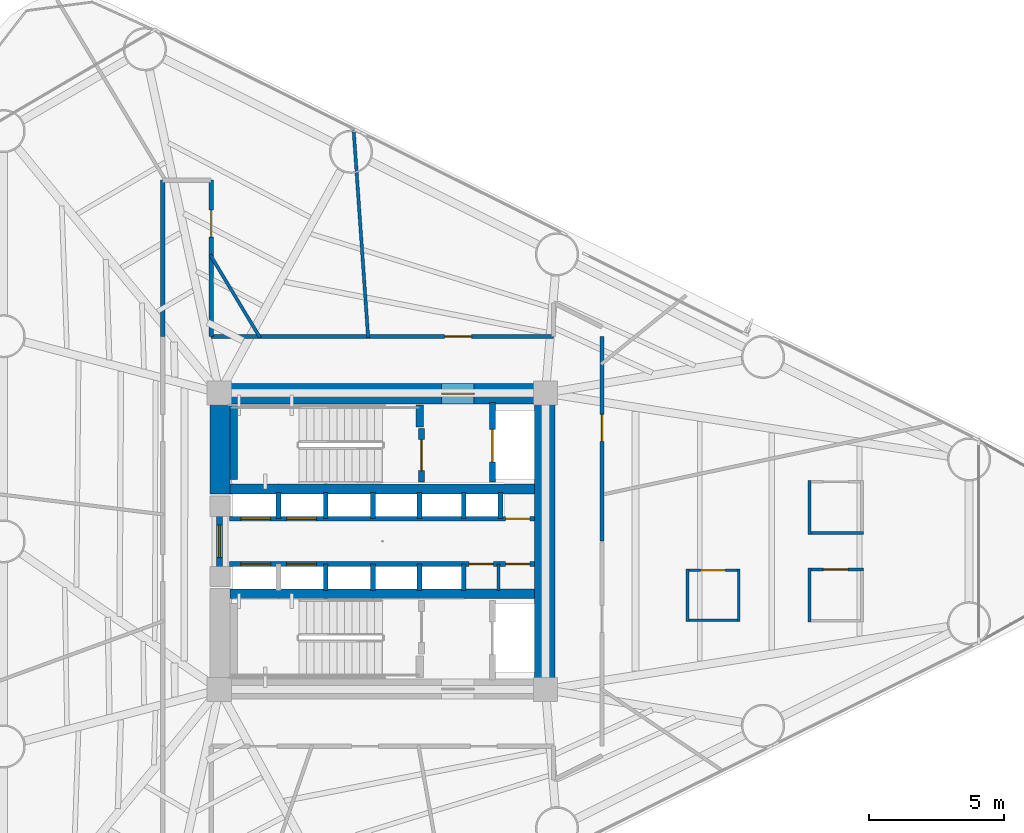
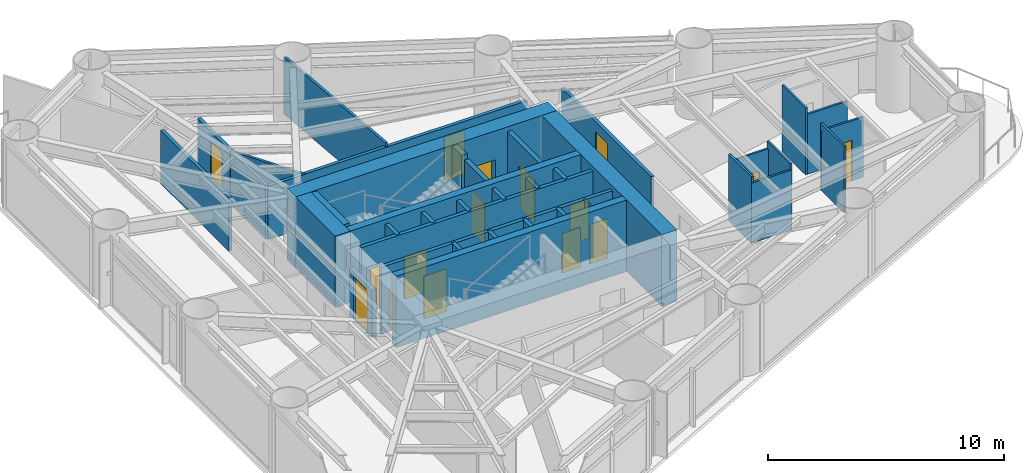
# One storey, part 6 of 10: 37 walls, 16 doors, 16 openings.
"""IFC4 building model written with IfcOpenShell, lengths in metres."""

from ifc_helpers import new_model, si_unit, direction, frame, frame_2d, origin, place, context, subcontext, project, spatial, rectangle, extrude, material, layer, layer_set, type_object, element, fill, save


model = new_model("IFC4")

# Units and contexts
model_context = context("Model", 3, precision=1e-05, world=origin(), true_north=direction((0.0, 1.0)))
body_context = subcontext(model_context, "Body", "Model", "MODEL_VIEW")
ifc_project = project(units=[si_unit("LENGTHUNIT", "METRE"), si_unit("AREAUNIT", "SQUARE_METRE"), si_unit("VOLUMEUNIT", "CUBIC_METRE"), si_unit("PLANEANGLEUNIT", "RADIAN"), si_unit("MASSUNIT", "GRAM", prefix="KILO")], contexts=[model_context])

# Site, building, storey
site_placement = place(None, origin())
site = spatial("IfcSite", under=ifc_project, at=site_placement, CompositionType="ELEMENT")
building_placement = place(site_placement, origin())
building = spatial("IfcBuilding", under=site, at=building_placement, Name="Yunling Apex Tower", CompositionType="ELEMENT")
storey_placement = place(building_placement, frame((0.0, 0.0, 46.0)))
storey = spatial("IfcBuildingStorey", under=building, at=storey_placement, Name="L13", CompositionType="ELEMENT", Elevation=46.0)

# Wall, opening, door
ifc_material_1 = material(Name="Concrete C60", Category="concrete")
ifc_layer_1 = layer(ifc_material_1, 0.75)
ifc_layer_set_1 = layer_set([ifc_layer_1], Name="Concrete C60")
wall_type_1 = type_object("IfcWallType", Name="WL-COR-1", PredefinedType="SHEAR", material=ifc_layer_set_1)
wall_1_placement = place(storey_placement, frame((-6.39990234375, 5.47509765625, 0.0), z_axis=(0.0, 0.0, 1.0), x_axis=(1.0, 0.0, 0.0)))
wall_1 = element("IfcWall", 1, at=wall_1_placement, inside=storey, type_object=wall_type_1, Name="L13 North Core Shear Wall", PredefinedType="SHEAR", context=body_context, shape_type="SweptSolid", body=[
    extrude(rectangle(XDim=12.7998046875, YDim=0.75, at=frame_2d((6.39990234375, 0.0))), origin(), (0.0, 0.0, 1.0), 3.699951171875),
])
opening_1_placement = place(wall_1_placement, frame((8.60009765625, 0.0, 0.0)))
opening_1 = element("IfcOpeningElement", 2, at=opening_1_placement, cuts=wall_1, Name="Opening DR-FFL-1", PredefinedType="OPENING", context=body_context, shape_type="SweptSolid", body=[
    extrude(rectangle(XDim=1.199951171875, YDim=2.199951171875, at=frame_2d((0.60009765625, 1.10009765625))), frame((0.0, 0.385009765625, 0.0), z_axis=(0.0, -1.0, 0.0), x_axis=(1.0, 0.0, 0.0)), (0.0, 0.0, 1.0), 0.77001953125),
])
ifc_material_2 = material(Name="Steel Q355B", Category="steel")
door_type_1 = type_object("IfcDoorType", Name="DR-FFL-1", OperationType="NOTDEFINED", PredefinedType="DOOR", material=ifc_material_2)
door_1_placement = place(opening_1_placement, origin())
door_1 = element("IfcDoor", 3, at=door_1_placement, inside=storey, type_object=door_type_1, Name="L13 North Firefighting Lobby Door", OperationType="SINGLE_SWING_LEFT", OverallHeight=2.199951171875, OverallWidth=1.199951171875, PredefinedType="DOOR", context=body_context, shape_type="SweptSolid", body=[
    extrude(rectangle(XDim=1.199951171875, YDim=2.199951171875, at=frame_2d((0.60009765625, 1.10009765625))), frame((0.0, 0.02490234375, 0.0), z_axis=(0.0, -1.0, 0.0), x_axis=(1.0, 0.0, 0.0)), (0.0, 0.0, 1.0), 0.050048828125),
])
fill(opening_1, door_1)

# Walls
wall_2_placement = place(storey_placement, frame((6.02490234375, -5.10009765625, 0.0), z_axis=(0.0, 0.0, 1.0), x_axis=(0.0, 1.0, 0.0)))
element("IfcWall", 4, at=wall_2_placement, inside=storey, type_object=wall_type_1, Name="L13 East Core Shear Wall", PredefinedType="SHEAR", context=body_context, shape_type="SweptSolid", body=[
    extrude(rectangle(XDim=10.2001953125, YDim=0.75, at=frame_2d((5.10009765625, 0.0))), origin(), (0.0, 0.0, 1.0), 3.699951171875),
])
wall_3_placement = place(storey_placement, frame((-6.02490234375, 1.75, 0.0), z_axis=(0.0, 0.0, 1.0), x_axis=(0.0, 1.0, 0.0)))
element("IfcWall", 5, at=wall_3_placement, inside=storey, type_object=wall_type_1, Name="L13 West-North Core Shear Wall", PredefinedType="SHEAR", context=body_context, shape_type="SweptSolid", body=[
    extrude(rectangle(XDim=3.35009765625, YDim=0.75, at=frame_2d((1.675048828125, 0.0))), origin(), (0.0, 0.0, 1.0), 3.699951171875),
])
ifc_material_3 = material(Name="Concrete C40", Category="concrete")
ifc_layer_2 = layer(ifc_material_3, 0.360107421875)
ifc_layer_set_2 = layer_set([ifc_layer_2], Name="Concrete C40")
wall_type_2 = type_object("IfcWallType", Name="WL-COR-4", PredefinedType="SHEAR", material=ifc_layer_set_2)
for number, where, z_axis, x_axis, name in (
    (6, (-5.64990234375, 1.93994140625, 0.0), (0.0, 0.0, 1.0), (1.0, 0.0, 0.0), "L13 North Internal Core Shear Wall"),
    (7, (-5.64990234375, -1.93994140625, 0.0), (0.0, 0.0, 1.0), (1.0, 0.0, 0.0), "L13 South Internal Core Shear Wall"),
):
    element("IfcWall", number, at=place(storey_placement, frame(where, z_axis=z_axis, x_axis=x_axis)), inside=storey, type_object=wall_type_2, Name=name, PredefinedType="SHEAR", context=body_context, shape_type="SweptSolid", body=[
        extrude(rectangle(XDim=11.2998046875, YDim=0.360107421875, at=frame_2d((5.64990234375, 0.0))), origin(), (0.0, 0.0, 1.0), 3.699951171875),
    ])
ifc_layer_3 = layer(ifc_material_3, 0.280029296875)
ifc_layer_set_3 = layer_set([ifc_layer_3], Name="Concrete C40")
wall_type_3 = type_object("IfcWallType", Name="WL-COR-8", PredefinedType="SHEAR", material=ifc_layer_set_3)
wall_4_placement = place(storey_placement, frame((-5.52001953125, 2.300048828125, 0.0), z_axis=(0.0, 0.0, 1.0), x_axis=(0.0, 1.0, 0.0)))
element("IfcWall", 8, at=wall_4_placement, inside=storey, type_object=wall_type_3, Name="L13 ST-1 West Landing Bearing Wall", PredefinedType="SHEAR", context=body_context, shape_type="SweptSolid", body=[
    extrude(rectangle(XDim=2.75, YDim=0.280029296875, at=frame_2d((1.375, 0.0))), origin(), (0.0, 0.0, 1.0), 3.699951171875),
])
wall_5_placement = place(storey_placement, frame((1.3798828125, 4.25, 0.0), z_axis=(0.0, 0.0, 1.0), x_axis=(0.0, 1.0, 0.0)))
element("IfcWall", 9, at=wall_5_placement, inside=storey, type_object=wall_type_3, Name="L13 ST-1 East Landing Bearing Pier", PredefinedType="SHEAR", context=body_context, shape_type="SweptSolid", body=[
    extrude(rectangle(XDim=0.800048828125, YDim=0.280029296875, at=frame_2d((0.39990234375, 0.0))), origin(), (0.0, 0.0, 1.0), 3.699951171875),
])
ifc_material_4 = material(Name="Gypsum board acoustic partition")
ifc_layer_4 = layer(ifc_material_4, 0.159912109375)
ifc_layer_set_4 = layer_set([ifc_layer_4], Name="Gypsum board acoustic partition")
wall_type_4 = type_object("IfcWallType", Name="WL-PRT-1", PredefinedType="PARTITIONING", material=ifc_layer_set_4)
wall_6_placement = place(storey_placement, frame((-8.14990234375, 7.60009765625, 0.0), z_axis=(0.0, 0.0, 1.0), x_axis=(0.0, 1.0, 0.0)))
element("IfcWall", 10, at=wall_6_placement, inside=storey, type_object=wall_type_4, Name="WL-CORR-L13-06", PredefinedType="PARTITIONING", context=body_context, shape_type="SweptSolid", body=[
    extrude(rectangle(XDim=5.7998046875, YDim=0.159912109375, at=frame_2d((2.89990234375, 0.0))), origin(), (0.0, 0.0, 1.0), 2.764892578125),
])

# Wall, opening, door
wall_7_placement = place(storey_placement, frame((-6.35009765625, 13.39990234375, 0.0), z_axis=(0.0, 0.0, 1.0), x_axis=(0.0, -1.0, 0.0)))
wall_7 = element("IfcWall", 11, at=wall_7_placement, inside=storey, type_object=wall_type_4, Name="WL-CORR-L13-08", PredefinedType="PARTITIONING", context=body_context, shape_type="SweptSolid", body=[
    extrude(rectangle(XDim=5.7998046875, YDim=0.159912109375, at=frame_2d((2.89990234375, 0.0))), origin(), (0.0, 0.0, 1.0), 2.764892578125),
])
opening_2_placement = place(wall_7_placement, frame((1.110107421875, 0.0, 0.0)))
opening_2 = element("IfcOpeningElement", 12, at=opening_2_placement, cuts=wall_7, Name="Opening DR-OFF-1", PredefinedType="OPENING", context=body_context, shape_type="SweptSolid", body=[
    extrude(rectangle(XDim=1.0, YDim=2.25, at=frame_2d((0.5, 1.125))), frame((0.0, 0.08984375, 0.0), z_axis=(0.0, -1.0, 0.0), x_axis=(1.0, 0.0, 0.0)), (0.0, 0.0, 1.0), 0.179931640625),
])
ifc_material_5 = material(Name="Bronze anodised aluminium", Category="aluminium")
door_type_2 = type_object("IfcDoorType", Name="DR-OFF-1", OperationType="NOTDEFINED", PredefinedType="DOOR", material=ifc_material_5)
door_2_placement = place(opening_2_placement, origin())
door_2 = element("IfcDoor", 13, at=door_2_placement, inside=storey, type_object=door_type_2, Name="L13 Client Reception Foyer Door", OperationType="SINGLE_SWING_LEFT", OverallHeight=2.25, OverallWidth=1.0, PredefinedType="DOOR", context=body_context, shape_type="SweptSolid", body=[
    extrude(rectangle(XDim=1.0, YDim=2.25, at=frame_2d((0.5, 1.125))), frame((0.0, 0.02490234375, 0.0), z_axis=(0.0, -1.0, 0.0), x_axis=(1.0, 0.0, 0.0)), (0.0, 0.0, 1.0), 0.050048828125),
])
fill(opening_2, door_2)

wall_8_placement = place(storey_placement, frame((-6.35009765625, 7.60009765625, 0.0), z_axis=(0.0, 0.0, 1.0), x_axis=(1.0, 0.0, 0.0)))
wall_8 = element("IfcWall", 14, at=wall_8_placement, inside=storey, type_object=wall_type_4, Name="WL-CORR-L13-09", PredefinedType="PARTITIONING", context=body_context, shape_type="SweptSolid", body=[
    extrude(rectangle(XDim=12.7001953125, YDim=0.159912109375, at=frame_2d((6.35009765625, 0.0))), origin(), (0.0, 0.0, 1.0), 2.764892578125),
])
opening_3_placement = place(wall_8_placement, frame((8.66259765625, 0.0, 0.0)))
opening_3 = element("IfcOpeningElement", 15, at=opening_3_placement, cuts=wall_8, Name="Opening DR-OFF-1", PredefinedType="OPENING", context=body_context, shape_type="SweptSolid", body=[
    extrude(rectangle(XDim=1.0, YDim=2.25, at=frame_2d((0.5, 1.125))), frame((0.0, 0.08984375, 0.0), z_axis=(0.0, -1.0, 0.0), x_axis=(1.0, 0.0, 0.0)), (0.0, 0.0, 1.0), 0.179931640625),
])
door_3_placement = place(opening_3_placement, origin())
door_3 = element("IfcDoor", 16, at=door_3_placement, inside=storey, type_object=door_type_2, Name="L13 Open Plan Office Door", OperationType="SINGLE_SWING_RIGHT", OverallHeight=2.25, OverallWidth=1.0, PredefinedType="DOOR", context=body_context, shape_type="SweptSolid", body=[
    extrude(rectangle(XDim=1.0, YDim=2.25, at=frame_2d((0.5, 1.125))), frame((0.0, 0.02490234375, 0.0), z_axis=(0.0, -1.0, 0.0), x_axis=(1.0, 0.0, 0.0)), (0.0, 0.0, 1.0), 0.050048828125),
])
fill(opening_3, door_3)

wall_9_placement = place(storey_placement, frame((8.14990234375, 7.60009765625, 0.0), z_axis=(0.0, 0.0, 1.0), x_axis=(0.0, -1.0, 0.0)))
wall_9 = element("IfcWall", 17, at=wall_9_placement, inside=storey, type_object=wall_type_4, Name="WL-CORR-L13-13", PredefinedType="PARTITIONING", context=body_context, shape_type="SweptSolid", body=[
    extrude(rectangle(XDim=7.580078125, YDim=0.159912109375, at=frame_2d((3.7900390625, 0.0))), origin(), (0.0, 0.0, 1.0), 2.764892578125),
])
opening_4_placement = place(wall_9_placement, frame((2.889892578125, 0.0, 0.0)))
opening_4 = element("IfcOpeningElement", 18, at=opening_4_placement, cuts=wall_9, Name="Opening DR-OFF-1", PredefinedType="OPENING", context=body_context, shape_type="SweptSolid", body=[
    extrude(rectangle(XDim=1.0, YDim=2.25, at=frame_2d((0.5, 1.125))), frame((0.0, 0.08984375, 0.0), z_axis=(0.0, -1.0, 0.0), x_axis=(1.0, 0.0, 0.0)), (0.0, 0.0, 1.0), 0.179931640625),
])
door_4_placement = place(opening_4_placement, origin())
door_4 = element("IfcDoor", 19, at=door_4_placement, inside=storey, type_object=door_type_2, Name="L13 Administration Staff Room Door", OperationType="SINGLE_SWING_LEFT", OverallHeight=2.25, OverallWidth=1.0, PredefinedType="DOOR", context=body_context, shape_type="SweptSolid", body=[
    extrude(rectangle(XDim=1.0, YDim=2.25, at=frame_2d((0.5, 1.125))), frame((0.0, 0.02490234375, 0.0), z_axis=(0.0, -1.0, 0.0), x_axis=(1.0, 0.0, 0.0)), (0.0, 0.0, 1.0), 0.050048828125),
])
fill(opening_4, door_4)

# Walls
ifc_layer_5 = layer(ifc_material_4, 0.1201171875)
ifc_layer_set_5 = layer_set([ifc_layer_5], Name="Gypsum board acoustic partition")
wall_type_5 = type_object("IfcWallType", Name="WL-PRT-3", PredefinedType="PARTITIONING", material=ifc_layer_set_5)
wall_10_placement = place(storey_placement, frame((-0.528564453125, 7.56005859375, 0.0), z_axis=(0.0, 0.0, 1.0), x_axis=(-0.069775328769, 0.997562731609, 0.0)))
element("IfcWall", 20, at=wall_10_placement, inside=storey, type_object=wall_type_5, Name="WL-RAD-L13-02", PredefinedType="PARTITIONING", context=body_context, shape_type="SweptSolid", body=[
    extrude(rectangle(XDim=7.72216796875, YDim=0.1201171875, at=frame_2d((3.861083984375, 0.0))), origin(), (0.0, 0.0, 1.0), 2.965087890625),
])
wall_11_placement = place(storey_placement, frame((-4.54248046875, 7.56005859375, 0.0), z_axis=(0.0, 0.0, 1.0), x_axis=(-0.515026141225, 0.85717447107, 0.0)))
element("IfcWall", 21, at=wall_11_placement, inside=storey, type_object=wall_type_5, Name="WL-RAD-L13-03", PredefinedType="PARTITIONING", context=body_context, shape_type="SweptSolid", body=[
    extrude(rectangle(XDim=3.5869140625, YDim=0.1201171875, at=frame_2d((1.79345703125, 0.0))), origin(), (0.0, 0.0, 1.0), 2.764892578125),
])
ifc_layer_6 = layer(ifc_material_4, 0.10009765625)
ifc_layer_set_6 = layer_set([ifc_layer_6], Name="Gypsum board acoustic partition")
wall_type_6 = type_object("IfcWallType", Name="WL-PRT-4", PredefinedType="PARTITIONING", material=ifc_layer_set_6)
wall_12_placement = place(storey_placement, frame((4.31005859375, -1.820068359375, 0.0), z_axis=(0.0, 0.0, 1.0), x_axis=(0.0, 1.0, 0.0)))
element("IfcWall", 22, at=wall_12_placement, inside=storey, type_object=wall_type_6, Name="WL-KCDIV-L13", PredefinedType="PARTITIONING", context=body_context, shape_type="SweptSolid", body=[
    extrude(rectangle(XDim=0.97998046875, YDim=0.10009765625, at=frame_2d((0.489990234375, 0.0))), origin(), (0.0, 0.0, 1.0), 3.4599609375),
])

# Wall, opening, door
wall_13_placement = place(storey_placement, frame((15.794921875, -1.047119140625, 0.0), z_axis=(0.0, 0.0, 1.0), x_axis=(1.0, 0.0, 0.0)))
wall_13 = element("IfcWall", 23, at=wall_13_placement, inside=storey, type_object=wall_type_6, Name="WL-L13-WCMN", PredefinedType="PARTITIONING", context=body_context, shape_type="SweptSolid", body=[
    extrude(rectangle(XDim=2.050048828125, YDim=0.10009765625, at=frame_2d((1.02490234375, 0.0))), origin(), (0.0, 0.0, 1.0), 3.114990234375),
])
opening_5_placement = place(wall_13_placement, frame((0.56494140625, 0.0, 0.0)))
opening_5 = element("IfcOpeningElement", 24, at=opening_5_placement, cuts=wall_13, Name="Opening DR-WC-1", PredefinedType="OPENING", context=body_context, shape_type="SweptSolid", body=[
    extrude(rectangle(XDim=0.919921875, YDim=2.10009765625, at=frame_2d((0.4599609375, 1.050048828125))), frame((0.0, 0.06005859375, 0.0), z_axis=(0.0, -1.0, 0.0), x_axis=(1.0, 0.0, 0.0)), (0.0, 0.0, 1.0), 0.1201171875),
])
ifc_material_6 = material(Name="Timber moisture-resistant leaf", Category="wood")
door_type_3 = type_object("IfcDoorType", Name="DR-WC-1", OperationType="NOTDEFINED", PredefinedType="DOOR", material=ifc_material_6)
door_5_placement = place(opening_5_placement, origin())
door_5 = element("IfcDoor", 25, at=door_5_placement, inside=storey, type_object=door_type_3, Name="L13 Male Toilet Door", OperationType="SINGLE_SWING_LEFT", OverallHeight=2.10009765625, OverallWidth=0.919921875, PredefinedType="DOOR", context=body_context, shape_type="SweptSolid", body=[
    extrude(rectangle(XDim=0.919921875, YDim=2.10009765625, at=frame_2d((0.4599609375, 1.050048828125))), frame((0.0, 0.02490234375, 0.0), z_axis=(0.0, -1.0, 0.0), x_axis=(1.0, 0.0, 0.0)), (0.0, 0.0, 1.0), 0.050048828125),
])
fill(opening_5, door_5)

# Walls
wall_14_placement = place(storey_placement, frame((15.844970703125, -2.9970703125, 0.0), z_axis=(0.0, 0.0, 1.0), x_axis=(0.0, 1.0, 0.0)))
element("IfcWall", 26, at=wall_14_placement, inside=storey, type_object=wall_type_6, Name="WL-L13-WCMW", PredefinedType="PARTITIONING", context=body_context, shape_type="SweptSolid", body=[
    extrude(rectangle(XDim=2.0, YDim=0.10009765625, at=frame_2d((1.0, 0.0))), origin(), (0.0, 0.0, 1.0), 3.4599609375),
])
wall_15_placement = place(storey_placement, frame((17.844970703125, 0.31103515625, 0.0), z_axis=(0.0, 0.0, 1.0), x_axis=(-1.0, 0.0, 0.0)))
element("IfcWall", 27, at=wall_15_placement, inside=storey, type_object=wall_type_6, Name="WL-L13-WCFS", PredefinedType="PARTITIONING", context=body_context, shape_type="SweptSolid", body=[
    extrude(rectangle(XDim=2.050048828125, YDim=0.10009765625, at=frame_2d((1.02490234375, 0.0))), origin(), (0.0, 0.0, 1.0), 3.114990234375),
])
wall_16_placement = place(storey_placement, frame((15.844970703125, 0.260986328125, 0.0), z_axis=(0.0, 0.0, 1.0), x_axis=(0.0, 1.0, 0.0)))
element("IfcWall", 28, at=wall_16_placement, inside=storey, type_object=wall_type_6, Name="WL-L13-WCFW", PredefinedType="PARTITIONING", context=body_context, shape_type="SweptSolid", body=[
    extrude(rectangle(XDim=2.0, YDim=0.10009765625, at=frame_2d((1.0, 0.0))), origin(), (0.0, 0.0, 1.0), 3.4599609375),
])

# Wall, opening, door
wall_17_placement = place(storey_placement, frame((11.26708984375, -1.072021484375, 0.0), z_axis=(0.0, 0.0, 1.0), x_axis=(1.0, 0.0, 0.0)))
wall_17 = element("IfcWall", 29, at=wall_17_placement, inside=storey, type_object=wall_type_6, Name="WL-L13-WCAN", PredefinedType="PARTITIONING", context=body_context, shape_type="SweptSolid", body=[
    extrude(rectangle(XDim=2.0, YDim=0.10009765625, at=frame_2d((1.0, 0.0))), origin(), (0.0, 0.0, 1.0), 3.114990234375),
])
opening_6_placement = place(wall_17_placement, frame((0.5400390625, 0.0, 0.0)))
opening_6 = element("IfcOpeningElement", 30, at=opening_6_placement, cuts=wall_17, Name="Opening DR-WC-1", PredefinedType="OPENING", context=body_context, shape_type="SweptSolid", body=[
    extrude(rectangle(XDim=0.919921875, YDim=2.10009765625, at=frame_2d((0.4599609375, 1.050048828125))), frame((0.0, 0.06005859375, 0.0), z_axis=(0.0, -1.0, 0.0), x_axis=(1.0, 0.0, 0.0)), (0.0, 0.0, 1.0), 0.1201171875),
])
door_6_placement = place(opening_6_placement, origin())
door_6 = element("IfcDoor", 31, at=door_6_placement, inside=storey, type_object=door_type_3, Name="L13 Accessible WC Door", OperationType="SINGLE_SWING_LEFT", OverallHeight=2.10009765625, OverallWidth=0.919921875, PredefinedType="DOOR", context=body_context, shape_type="SweptSolid", body=[
    extrude(rectangle(XDim=0.919921875, YDim=2.10009765625, at=frame_2d((0.4599609375, 1.050048828125))), frame((0.0, 0.02490234375, 0.0), z_axis=(0.0, -1.0, 0.0), x_axis=(1.0, 0.0, 0.0)), (0.0, 0.0, 1.0), 0.050048828125),
])
fill(opening_6, door_6)

# Walls
wall_18_placement = place(storey_placement, frame((13.26708984375, -2.922119140625, 0.0), z_axis=(0.0, 0.0, 1.0), x_axis=(-1.0, 0.0, 0.0)))
element("IfcWall", 32, at=wall_18_placement, inside=storey, type_object=wall_type_6, Name="WL-L13-WCAS", PredefinedType="PARTITIONING", context=body_context, shape_type="SweptSolid", body=[
    extrude(rectangle(XDim=2.0, YDim=0.10009765625, at=frame_2d((1.0, 0.0))), origin(), (0.0, 0.0, 1.0), 3.114990234375),
])
for number, where, z_axis, x_axis, name in (
    (33, (13.217041015625, -1.02197265625, 0.0), (0.0, 0.0, 1.0), (0.0, -1.0, 0.0), "WL-L13-WCAE"),
    (34, (11.31689453125, -2.971923828125, 0.0), (0.0, 0.0, 1.0), (0.0, 1.0, 0.0), "WL-L13-WCAW"),
):
    element("IfcWall", number, at=place(storey_placement, frame(where, z_axis=z_axis, x_axis=x_axis)), inside=storey, type_object=wall_type_6, Name=name, PredefinedType="PARTITIONING", context=body_context, shape_type="SweptSolid", body=[
        extrude(rectangle(XDim=1.949951171875, YDim=0.10009765625, at=frame_2d((0.97509765625, 0.0))), origin(), (0.0, 0.0, 1.0), 3.4599609375),
    ])

# Wall, opening, door
ifc_material_7 = material(Name="Autoclaved aerated concrete masonry", Category="masonry")
ifc_layer_7 = layer(ifc_material_7, 0.219970703125)
ifc_layer_set_7 = layer_set([ifc_layer_7], Name="Autoclaved aerated concrete masonry")
wall_type_7 = type_object("IfcWallType", Name="WL-SHF-1", PredefinedType="PLUMBINGWALL", material=ifc_layer_set_7)
wall_19_placement = place(storey_placement, frame((-6.050048828125, -0.949951171875, 0.0), z_axis=(0.0, 0.0, 1.0), x_axis=(0.0, 1.0, 0.0)))
wall_19 = element("IfcWall", 35, at=wall_19_placement, inside=storey, type_object=wall_type_7, Name="WL-COR-WPORT-L13", PredefinedType="PLUMBINGWALL", context=body_context, shape_type="SweptSolid", body=[
    extrude(rectangle(XDim=1.89990234375, YDim=0.219970703125, at=frame_2d((0.949951171875, 0.0))), origin(), (0.0, 0.0, 1.0), 2.43994140625),
])
opening_7_placement = place(wall_19_placement, frame((0.35009765625, 0.0, 0.0)))
opening_7 = element("IfcOpeningElement", 36, at=opening_7_placement, cuts=wall_19, Name="Opening DR-FFL-1", PredefinedType="OPENING", context=body_context, shape_type="SweptSolid", body=[
    extrude(rectangle(XDim=1.199951171875, YDim=2.199951171875, at=frame_2d((0.60009765625, 1.10009765625))), frame((0.0, 0.1201171875, 0.0), z_axis=(0.0, -1.0, 0.0), x_axis=(1.0, 0.0, 0.0)), (0.0, 0.0, 1.0), 0.239990234375),
])
door_7_placement = place(opening_7_placement, origin())
door_7 = element("IfcDoor", 37, at=door_7_placement, inside=storey, type_object=door_type_1, Name="L13 Passenger Lift Lobby Entrance Door", OperationType="SINGLE_SWING_LEFT", OverallHeight=2.199951171875, OverallWidth=1.199951171875, PredefinedType="DOOR", context=body_context, shape_type="SweptSolid", body=[
    extrude(rectangle(XDim=1.199951171875, YDim=2.199951171875, at=frame_2d((0.60009765625, 1.10009765625))), frame((0.0, 0.02490234375, 0.0), z_axis=(0.0, -1.0, 0.0), x_axis=(1.0, 0.0, 0.0)), (0.0, 0.0, 1.0), 0.050048828125),
])
fill(opening_7, door_7)

wall_20_placement = place(storey_placement, frame((1.449951171875, 2.199951171875, 0.0), z_axis=(0.0, 0.0, 1.0), x_axis=(0.0, 1.0, 0.0)))
wall_20 = element("IfcWall", 38, at=wall_20_placement, inside=storey, type_object=wall_type_7, Name="WL-ST1-E-L13", PredefinedType="PLUMBINGWALL", context=body_context, shape_type="SweptSolid", body=[
    extrude(rectangle(XDim=1.97998046875, YDim=0.219970703125, at=frame_2d((0.989990234375, 0.0))), origin(), (0.0, 0.0, 1.0), 3.4599609375),
])
opening_8_placement = place(wall_20_placement, frame((0.419921875, 0.0, 0.0)))
opening_8 = element("IfcOpeningElement", 39, at=opening_8_placement, cuts=wall_20, Name="Opening DR-ST-1", PredefinedType="OPENING", context=body_context, shape_type="SweptSolid", body=[
    extrude(rectangle(XDim=1.14990234375, YDim=2.14990234375, at=frame_2d((0.574951171875, 1.074951171875))), frame((0.0, 0.1201171875, 0.0), z_axis=(0.0, -1.0, 0.0), x_axis=(1.0, 0.0, 0.0)), (0.0, 0.0, 1.0), 0.239990234375),
])
door_type_4 = type_object("IfcDoorType", Name="DR-ST-1", OperationType="NOTDEFINED", PredefinedType="DOOR", material=ifc_material_2)
door_8_placement = place(opening_8_placement, origin())
door_8 = element("IfcDoor", 40, at=door_8_placement, inside=storey, type_object=door_type_4, Name="L13 Stair ST-1 Fire Door", OperationType="SINGLE_SWING_RIGHT", OverallHeight=2.14990234375, OverallWidth=1.14990234375, PredefinedType="DOOR", context=body_context, shape_type="SweptSolid", body=[
    extrude(rectangle(XDim=1.14990234375, YDim=2.14990234375, at=frame_2d((0.574951171875, 1.074951171875))), frame((0.0, 0.02490234375, 0.0), z_axis=(0.0, -1.0, 0.0), x_axis=(1.0, 0.0, 0.0)), (0.0, 0.0, 1.0), 0.050048828125),
])
fill(opening_8, door_8)

wall_21_placement = place(storey_placement, frame((4.080078125, 2.199951171875, 0.0), z_axis=(0.0, 0.0, 1.0), x_axis=(0.0, 1.0, 0.0)))
wall_21 = element("IfcWall", 41, at=wall_21_placement, inside=storey, type_object=wall_type_7, Name="WL-FFL1-W-L13", PredefinedType="PLUMBINGWALL", context=body_context, shape_type="SweptSolid", body=[
    extrude(rectangle(XDim=2.949951171875, YDim=0.219970703125, at=frame_2d((1.47509765625, 0.0))), origin(), (0.0, 0.0, 1.0), 3.4599609375),
])
opening_9_placement = place(wall_21_placement, frame((0.75, 0.0, 0.0)))
opening_9 = element("IfcOpeningElement", 42, at=opening_9_placement, cuts=wall_21, Name="Opening LD-FFL-1", PredefinedType="OPENING", context=body_context, shape_type="SweptSolid", body=[
    extrude(rectangle(XDim=1.199951171875, YDim=2.25, at=frame_2d((0.60009765625, 1.125))), frame((0.0, 0.1201171875, 0.0), z_axis=(0.0, -1.0, 0.0), x_axis=(1.0, 0.0, 0.0)), (0.0, 0.0, 1.0), 0.239990234375),
])
door_type_5 = type_object("IfcDoorType", Name="LD-FFL-1", OperationType="DOUBLE_DOOR_SLIDING", PredefinedType="DOOR", material=ifc_material_2)
door_9_placement = place(opening_9_placement, origin())
door_9 = element("IfcDoor", 43, at=door_9_placement, inside=storey, type_object=door_type_5, Name="L13 Lift FFL-1 Landing Door", OperationType="DOUBLE_DOOR_SLIDING", OverallHeight=2.25, OverallWidth=1.199951171875, PredefinedType="DOOR", context=body_context, shape_type="SweptSolid", body=[
    extrude(rectangle(XDim=1.199951171875, YDim=2.25, at=frame_2d((0.60009765625, 1.125))), frame((0.0, 0.02490234375, 0.0), z_axis=(0.0, -1.0, 0.0), x_axis=(1.0, 0.0, 0.0)), (0.0, 0.0, 1.0), 0.050048828125),
])
fill(opening_9, door_9)

# Walls
ifc_layer_8 = layer(ifc_material_7, 0.179931640625)
ifc_layer_set_8 = layer_set([ifc_layer_8], Name="Autoclaved aerated concrete masonry")
wall_type_8 = type_object("IfcWallType", Name="WL-SHF-2", PredefinedType="PLUMBINGWALL", material=ifc_layer_set_8)
for number, where, z_axis, x_axis, name in (
    (44, (-3.85009765625, 0.840087890625, 0.0), (0.0, 0.0, 1.0), (0.0, 1.0, 0.0), "WL-DIV-L12-L13"),
    (45, (-2.10009765625, 0.840087890625, 0.0), (0.0, 0.0, 1.0), (0.0, 1.0, 0.0), "WL-BNK-LM-N-L13"),
    (46, (-2.10009765625, -1.820068359375, 0.0), (0.0, 0.0, 1.0), (0.0, 1.0, 0.0), "WL-BNK-LM-S-L13"),
    (47, (-0.35009765625, 0.840087890625, 0.0), (0.0, 0.0, 1.0), (0.0, 1.0, 0.0), "WL-DIV-M12-L13"),
    (48, (-0.35009765625, -1.820068359375, 0.0), (0.0, 0.0, 1.0), (0.0, 1.0, 0.0), "WL-DIV-M34-L13"),
    (49, (1.3798828125, 0.840087890625, 0.0), (0.0, 0.0, 1.0), (0.0, 1.0, 0.0), "WL-BNK-MH-N-L13"),
    (50, (1.3798828125, -1.820068359375, 0.0), (0.0, 0.0, 1.0), (0.0, 1.0, 0.0), "WL-BNK-MH-S-L13"),
    (51, (3.02001953125, 0.840087890625, 0.0), (0.0, 0.0, 1.0), (0.0, 1.0, 0.0), "WL-DIV-H13-L13"),
    (52, (4.3798828125, 0.840087890625, 0.0), (0.0, 0.0, 1.0), (0.0, 1.0, 0.0), "WL-END-H3E-L13"),
    (53, (3.02001953125, -1.820068359375, 0.0), (0.0, 0.0, 1.0), (0.0, 1.0, 0.0), "WL-END-H2E-L13"),
):
    element("IfcWall", number, at=place(storey_placement, frame(where, z_axis=z_axis, x_axis=x_axis)), inside=storey, type_object=wall_type_8, Name=name, PredefinedType="PLUMBINGWALL", context=body_context, shape_type="SweptSolid", body=[
        extrude(rectangle(XDim=0.97998046875, YDim=0.179931640625, at=frame_2d((0.489990234375, 0.0))), origin(), (0.0, 0.0, 1.0), 3.4599609375),
    ])

# Wall, openings, doors
wall_22_placement = place(storey_placement, frame((-5.679931640625, 0.840087890625, 0.0), z_axis=(0.0, 0.0, 1.0), x_axis=(1.0, 0.0, 0.0)))
wall_22 = element("IfcWall", 54, at=wall_22_placement, inside=storey, type_object=wall_type_8, Name="WL-LOB-N-L13", PredefinedType="PLUMBINGWALL", context=body_context, shape_type="SweptSolid", body=[
    extrude(rectangle(XDim=11.329833984375, YDim=0.179931640625, at=frame_2d((5.6650390625, 0.0))), origin(), (0.0, 0.0, 1.0), 3.4599609375),
])
opening_10_placement = place(wall_22_placement, frame((0.429931640625, 0.0, 0.0)))
opening_10 = element("IfcOpeningElement", 55, at=opening_10_placement, cuts=wall_22, Name="Opening LD-PAS-1", PredefinedType="OPENING", context=body_context, shape_type="SweptSolid", body=[
    extrude(rectangle(XDim=1.10009765625, YDim=2.199951171875, at=frame_2d((0.550048828125, 1.10009765625))), frame((0.0, 0.10009765625, 0.0), z_axis=(0.0, -1.0, 0.0), x_axis=(1.0, 0.0, 0.0)), (0.0, 0.0, 1.0), 0.199951171875),
])
opening_11_placement = place(wall_22_placement, frame((2.1298828125, 0.0, 0.0)))
opening_11 = element("IfcOpeningElement", 56, at=opening_11_placement, cuts=wall_22, Name="Opening LD-PAS-1", PredefinedType="OPENING", context=body_context, shape_type="SweptSolid", body=[
    extrude(rectangle(XDim=1.10009765625, YDim=2.199951171875, at=frame_2d((0.550048828125, 1.10009765625))), frame((0.0, 0.10009765625, 0.0), z_axis=(0.0, -1.0, 0.0), x_axis=(1.0, 0.0, 0.0)), (0.0, 0.0, 1.0), 0.199951171875),
])
opening_12_placement = place(wall_22_placement, frame((10.25, 0.0, 0.0)))
opening_12 = element("IfcOpeningElement", 57, at=opening_12_placement, cuts=wall_22, Name="Opening DR-SHF-1", PredefinedType="OPENING", context=body_context, shape_type="SweptSolid", body=[
    extrude(rectangle(XDim=0.89990234375, YDim=2.050048828125, at=frame_2d((0.449951171875, 1.02490234375))), frame((0.0, 0.10009765625, 0.0), z_axis=(0.0, -1.0, 0.0), x_axis=(1.0, 0.0, 0.0)), (0.0, 0.0, 1.0), 0.199951171875),
])
door_type_6 = type_object("IfcDoorType", Name="DR-SHF-1", OperationType="NOTDEFINED", PredefinedType="DOOR", material=ifc_material_2)
door_10_placement = place(opening_12_placement, origin())
door_10 = element("IfcDoor", 58, at=door_10_placement, inside=storey, type_object=door_type_6, Name="L13 Floor Supply Store Door", OperationType="SINGLE_SWING_RIGHT", OverallHeight=2.050048828125, OverallWidth=0.89990234375, PredefinedType="DOOR", context=body_context, shape_type="SweptSolid", body=[
    extrude(rectangle(XDim=0.89990234375, YDim=2.050048828125, at=frame_2d((0.449951171875, 1.02490234375))), frame((0.0, 0.02490234375, 0.0), z_axis=(0.0, -1.0, 0.0), x_axis=(1.0, 0.0, 0.0)), (0.0, 0.0, 1.0), 0.050048828125),
])
fill(opening_12, door_10)
ifc_material_8 = material(Name="Silver anodised aluminium", Category="aluminium")
door_type_7 = type_object("IfcDoorType", Name="LD-PAS-1", OperationType="DOUBLE_DOOR_SLIDING", PredefinedType="DOOR", material=ifc_material_8)
door_11_placement = place(opening_10_placement, origin())
door_11 = element("IfcDoor", 59, at=door_11_placement, inside=storey, type_object=door_type_7, Name="L13 Lift PL-L1 Landing Door", OperationType="DOUBLE_DOOR_SLIDING", OverallHeight=2.199951171875, OverallWidth=1.10009765625, PredefinedType="DOOR", context=body_context, shape_type="SweptSolid", body=[
    extrude(rectangle(XDim=1.10009765625, YDim=2.199951171875, at=frame_2d((0.550048828125, 1.10009765625))), frame((0.0, 0.02490234375, 0.0), z_axis=(0.0, -1.0, 0.0), x_axis=(1.0, 0.0, 0.0)), (0.0, 0.0, 1.0), 0.050048828125),
])
fill(opening_10, door_11)
door_12_placement = place(opening_11_placement, origin())
door_12 = element("IfcDoor", 60, at=door_12_placement, inside=storey, type_object=door_type_7, Name="L13 Lift PL-L2 Landing Door", OperationType="DOUBLE_DOOR_SLIDING", OverallHeight=2.199951171875, OverallWidth=1.10009765625, PredefinedType="DOOR", context=body_context, shape_type="SweptSolid", body=[
    extrude(rectangle(XDim=1.10009765625, YDim=2.199951171875, at=frame_2d((0.550048828125, 1.10009765625))), frame((0.0, 0.02490234375, 0.0), z_axis=(0.0, -1.0, 0.0), x_axis=(1.0, 0.0, 0.0)), (0.0, 0.0, 1.0), 0.050048828125),
])
fill(opening_11, door_12)

wall_23_placement = place(storey_placement, frame((-5.679931640625, -0.840087890625, 0.0), z_axis=(0.0, 0.0, 1.0), x_axis=(1.0, 0.0, 0.0)))
wall_23 = element("IfcWall", 61, at=wall_23_placement, inside=storey, type_object=wall_type_8, Name="WL-LOB-S-L13", PredefinedType="PLUMBINGWALL", context=body_context, shape_type="SweptSolid", body=[
    extrude(rectangle(XDim=11.329833984375, YDim=0.179931640625, at=frame_2d((5.6650390625, 0.0))), origin(), (0.0, 0.0, 1.0), 3.4599609375),
])
opening_13_placement = place(wall_23_placement, frame((0.429931640625, 0.0, 0.0)))
opening_13 = element("IfcOpeningElement", 62, at=opening_13_placement, cuts=wall_23, Name="Opening LD-PAS-1", PredefinedType="OPENING", context=body_context, shape_type="SweptSolid", body=[
    extrude(rectangle(XDim=1.10009765625, YDim=2.199951171875, at=frame_2d((0.550048828125, 1.10009765625))), frame((0.0, 0.10009765625, 0.0), z_axis=(0.0, -1.0, 0.0), x_axis=(1.0, 0.0, 0.0)), (0.0, 0.0, 1.0), 0.199951171875),
])
opening_14_placement = place(wall_23_placement, frame((2.1298828125, 0.0, 0.0)))
opening_14 = element("IfcOpeningElement", 63, at=opening_14_placement, cuts=wall_23, Name="Opening LD-PAS-1", PredefinedType="OPENING", context=body_context, shape_type="SweptSolid", body=[
    extrude(rectangle(XDim=1.10009765625, YDim=2.199951171875, at=frame_2d((0.550048828125, 1.10009765625))), frame((0.0, 0.10009765625, 0.0), z_axis=(0.0, -1.0, 0.0), x_axis=(1.0, 0.0, 0.0)), (0.0, 0.0, 1.0), 0.199951171875),
])
opening_15_placement = place(wall_23_placement, frame((8.89990234375, 0.0, 0.0)))
opening_15 = element("IfcOpeningElement", 64, at=opening_15_placement, cuts=wall_23, Name="Opening DR-SHF-1", PredefinedType="OPENING", context=body_context, shape_type="SweptSolid", body=[
    extrude(rectangle(XDim=0.89990234375, YDim=2.050048828125, at=frame_2d((0.449951171875, 1.02490234375))), frame((0.0, 0.10009765625, 0.0), z_axis=(0.0, -1.0, 0.0), x_axis=(1.0, 0.0, 0.0)), (0.0, 0.0, 1.0), 0.199951171875),
])
opening_16_placement = place(wall_23_placement, frame((10.25, 0.0, 0.0)))
opening_16 = element("IfcOpeningElement", 65, at=opening_16_placement, cuts=wall_23, Name="Opening DR-SHF-1", PredefinedType="OPENING", context=body_context, shape_type="SweptSolid", body=[
    extrude(rectangle(XDim=0.89990234375, YDim=2.050048828125, at=frame_2d((0.449951171875, 1.02490234375))), frame((0.0, 0.10009765625, 0.0), z_axis=(0.0, -1.0, 0.0), x_axis=(1.0, 0.0, 0.0)), (0.0, 0.0, 1.0), 0.199951171875),
])
door_13_placement = place(opening_15_placement, origin())
door_13 = element("IfcDoor", 66, at=door_13_placement, inside=storey, type_object=door_type_6, Name="L13 LV Closet Door", OperationType="SINGLE_SWING_LEFT", OverallHeight=2.050048828125, OverallWidth=0.89990234375, PredefinedType="DOOR", context=body_context, shape_type="SweptSolid", body=[
    extrude(rectangle(XDim=0.89990234375, YDim=2.050048828125, at=frame_2d((0.449951171875, 1.02490234375))), frame((0.0, 0.02490234375, 0.0), z_axis=(0.0, -1.0, 0.0), x_axis=(1.0, 0.0, 0.0)), (0.0, 0.0, 1.0), 0.050048828125),
])
fill(opening_15, door_13)
door_14_placement = place(opening_16_placement, origin())
door_14 = element("IfcDoor", 67, at=door_14_placement, inside=storey, type_object=door_type_6, Name="L13 Standpipe Closet Door", OperationType="SINGLE_SWING_RIGHT", OverallHeight=2.050048828125, OverallWidth=0.89990234375, PredefinedType="DOOR", context=body_context, shape_type="SweptSolid", body=[
    extrude(rectangle(XDim=0.89990234375, YDim=2.050048828125, at=frame_2d((0.449951171875, 1.02490234375))), frame((0.0, 0.02490234375, 0.0), z_axis=(0.0, -1.0, 0.0), x_axis=(1.0, 0.0, 0.0)), (0.0, 0.0, 1.0), 0.050048828125),
])
fill(opening_16, door_14)
door_15_placement = place(opening_13_placement, origin())
door_15 = element("IfcDoor", 68, at=door_15_placement, inside=storey, type_object=door_type_7, Name="L13 Lift PL-L3 Landing Door", OperationType="DOUBLE_DOOR_SLIDING", OverallHeight=2.199951171875, OverallWidth=1.10009765625, PredefinedType="DOOR", context=body_context, shape_type="SweptSolid", body=[
    extrude(rectangle(XDim=1.10009765625, YDim=2.199951171875, at=frame_2d((0.550048828125, 1.10009765625))), frame((0.0, 0.02490234375, 0.0), z_axis=(0.0, -1.0, 0.0), x_axis=(1.0, 0.0, 0.0)), (0.0, 0.0, 1.0), 0.050048828125),
])
fill(opening_13, door_15)
door_16_placement = place(opening_14_placement, origin())
door_16 = element("IfcDoor", 69, at=door_16_placement, inside=storey, type_object=door_type_7, Name="L13 Lift PL-L4 Landing Door", OperationType="DOUBLE_DOOR_SLIDING", OverallHeight=2.199951171875, OverallWidth=1.10009765625, PredefinedType="DOOR", context=body_context, shape_type="SweptSolid", body=[
    extrude(rectangle(XDim=1.10009765625, YDim=2.199951171875, at=frame_2d((0.550048828125, 1.10009765625))), frame((0.0, 0.02490234375, 0.0), z_axis=(0.0, -1.0, 0.0), x_axis=(1.0, 0.0, 0.0)), (0.0, 0.0, 1.0), 0.050048828125),
])
fill(opening_14, door_16)

save(model, "model.ifc")
